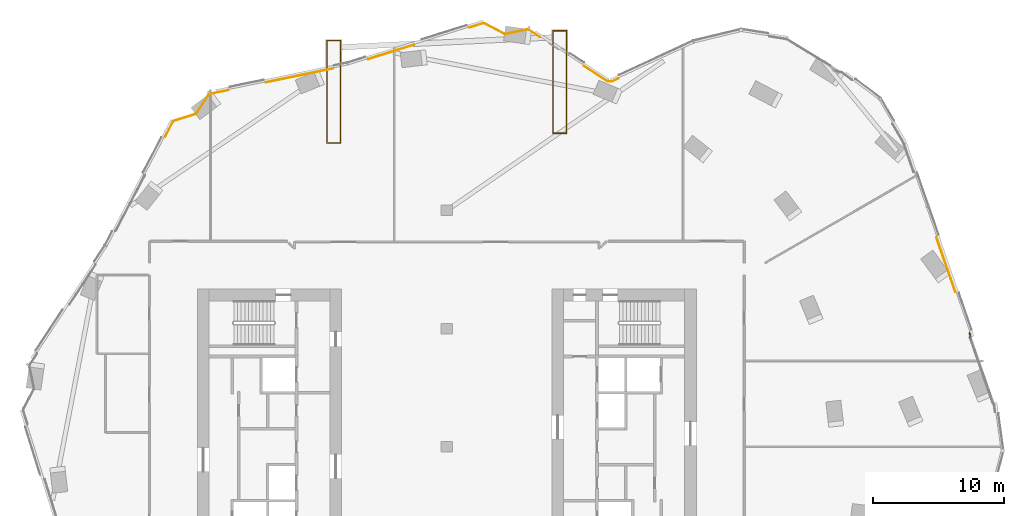
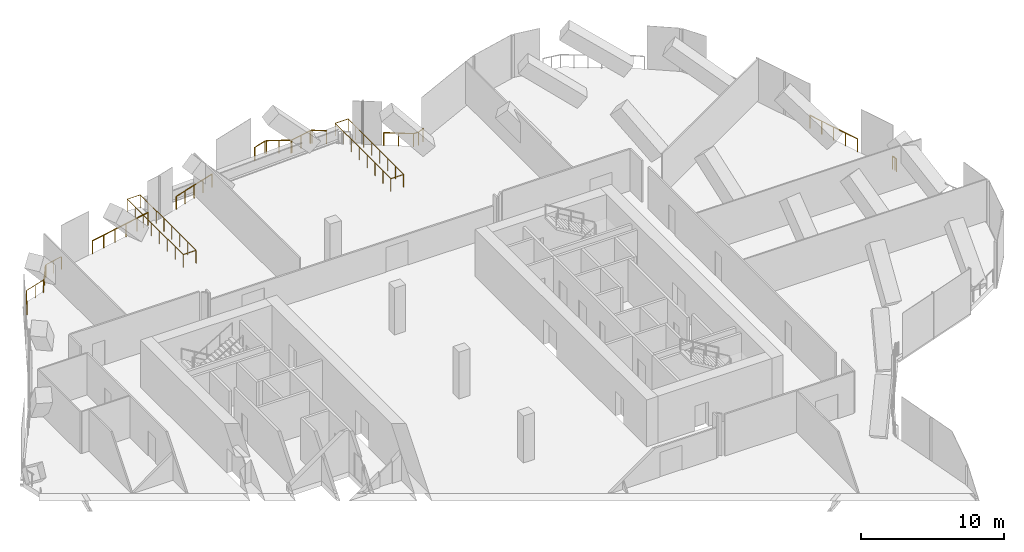
# One storey, part 25 of 26: 9 railings.
"""IFC4 building model written with IfcOpenShell, lengths in metres."""

from ifc_helpers import new_model, si_unit, direction, frame, origin, origin_2d, place, context, subcontext, project, spatial, circle, extrude, material, type_object, element, save


model = new_model("IFC4")

# Units and contexts
model_context = context("Model", 3, precision=1e-05, world=origin(), true_north=direction((0.0, 1.0)))
body_context = subcontext(model_context, "Body", "Model", "MODEL_VIEW")
ifc_project = project(units=[si_unit("LENGTHUNIT", "METRE"), si_unit("AREAUNIT", "SQUARE_METRE"), si_unit("VOLUMEUNIT", "CUBIC_METRE"), si_unit("PLANEANGLEUNIT", "RADIAN"), si_unit("MASSUNIT", "GRAM", prefix="KILO")], contexts=[model_context])

# Site, building, storey
site_placement = place(None, origin())
site = spatial("IfcSite", under=ifc_project, at=site_placement, CompositionType="ELEMENT")
building_placement = place(site_placement, origin())
building = spatial("IfcBuilding", under=site, at=building_placement, Name="Orlundy Tower", CompositionType="ELEMENT")
storey_placement = place(building_placement, frame((0.0, 0.0, 249.5)))
storey = spatial("IfcBuildingStorey", under=building, at=storey_placement, Name="L66", CompositionType="ELEMENT", Elevation=249.5)

# Railings
ifc_material = material(Name="Stainless steel bronze finish", Category="steel")
railing_type = type_object("IfcRailingType", Name="TG1 terrace guard", PredefinedType="GUARDRAIL", material=ifc_material)
railing_1_placement = place(storey_placement, frame((-21.460693359375, 23.5888671875, 0.0)))
element("IfcRailing", 1, at=railing_1_placement, inside=storey, type_object=railing_type, Name="Guard TG-L66-E00", PredefinedType="GUARDRAIL", context=body_context, shape_type="SweptSolid", body=[
    extrude(circle(Radius=0.02490234375, at=origin_2d()), frame((0.0, 0.0, 1.09521484375), z_axis=(0.464421300618, 0.88561439438, 0.0), x_axis=(-0.88561439438, 0.464421300618, 0.0)), (0.0, 0.0, 1.0), 1.299072265625),
    extrude(circle(Radius=0.02490234375, at=origin_2d()), frame((0.603271484375, 1.150390625, 1.09521484375), z_axis=(0.753797791724, 0.657106451948, 0.0), x_axis=(-0.657106451948, 0.753797791724, 0.0)), (0.0, 0.0, 1.0), 0.123779296875),
    extrude(circle(Radius=0.02490234375, at=origin_2d()), frame((0.696533203125, 1.231689453125, 1.09521484375), z_axis=(0.954541127415, 0.29807924462, 0.0), x_axis=(-0.29807924462, 0.954541127415, 0.0)), (0.0, 0.0, 1.0), 1.704345703125),
    extrude(circle(Radius=0.02490234375, at=origin_2d()), frame((2.323486328125, 1.73974609375, 1.09521484375), z_axis=(0.8, 0.6, 0.0), x_axis=(-0.6, 0.8, 0.0)), (0.0, 0.0, 1.0), 0.08056640625),
    extrude(circle(Radius=0.02490234375, at=origin_2d()), frame((2.387939453125, 1.7880859375, 1.09521484375), z_axis=(0.549666477585, 0.835384201083, 0.0), x_axis=(-0.835384201083, 0.549666477585, 0.0)), (0.0, 0.0, 1.0), 1.70458984375),
    extrude(circle(Radius=0.02490234375, at=origin_2d()), frame((3.324951171875, 3.212158203125, 1.09521484375), z_axis=(0.838668969916, 0.544641495757, 0.0), x_axis=(-0.544641495757, 0.838668969916, 0.0)), (0.0, 0.0, 1.0), 0.123779296875),
    extrude(circle(Radius=0.02490234375, at=origin_2d()), frame((3.4287109375, 3.279541015625, 1.09521484375), z_axis=(0.97935497518, 0.202148046221, 0.0), x_axis=(-0.202148046221, 0.97935497518, 0.0)), (0.0, 0.0, 1.0), 1.44677734375),
    extrude(circle(Radius=0.02001953125, at=origin_2d()), origin(), (0.0, 0.0, 1.0), 1.070068359375),
    extrude(circle(Radius=0.02001953125, at=origin_2d()), frame((0.3017578125, 0.5751953125, 0.0)), (0.0, 0.0, 1.0), 1.070068359375),
    extrude(circle(Radius=0.02001953125, at=origin_2d()), frame((0.603271484375, 1.150390625, 0.0)), (0.0, 0.0, 1.0), 1.070068359375),
    extrude(circle(Radius=0.02001953125, at=origin_2d()), frame((0.696533203125, 1.231689453125, 0.0)), (0.0, 0.0, 1.0), 1.070068359375),
    extrude(circle(Radius=0.02001953125, at=origin_2d()), frame((1.510009765625, 1.48583984375, 0.0)), (0.0, 0.0, 1.0), 1.070068359375),
    extrude(circle(Radius=0.02001953125, at=origin_2d()), frame((2.323486328125, 1.73974609375, 0.0)), (0.0, 0.0, 1.0), 1.070068359375),
    extrude(circle(Radius=0.02001953125, at=origin_2d()), frame((2.387939453125, 1.7880859375, 0.0)), (0.0, 0.0, 1.0), 1.070068359375),
    extrude(circle(Radius=0.02001953125, at=origin_2d()), frame((2.8564453125, 2.5, 0.0)), (0.0, 0.0, 1.0), 1.070068359375),
    extrude(circle(Radius=0.02001953125, at=origin_2d()), frame((3.324951171875, 3.212158203125, 0.0)), (0.0, 0.0, 1.0), 1.070068359375),
    extrude(circle(Radius=0.02001953125, at=origin_2d()), frame((3.4287109375, 3.279541015625, 0.0)), (0.0, 0.0, 1.0), 1.070068359375),
    extrude(circle(Radius=0.02001953125, at=origin_2d()), frame((4.13720703125, 3.42578125, 0.0)), (0.0, 0.0, 1.0), 1.070068359375),
    extrude(circle(Radius=0.02001953125, at=origin_2d()), frame((4.845703125, 3.572021484375, 0.0)), (0.0, 0.0, 1.0), 1.070068359375),
])
railing_2_placement = place(storey_placement, frame((1.734619140625, 31.9267578125, 0.0)))
element("IfcRailing", 2, at=railing_2_placement, inside=storey, type_object=railing_type, Name="Guard TG-L66-E05", PredefinedType="GUARDRAIL", context=body_context, shape_type="SweptSolid", body=[
    extrude(circle(Radius=0.02490234375, at=origin_2d()), frame((0.0, 0.0, 1.09521484375), z_axis=(0.954574315869, 0.297972944214, 0.0), x_axis=(-0.297972944214, 0.954574315869, 0.0)), (0.0, 0.0, 1.0), 1.05859375),
    extrude(circle(Radius=0.02490234375, at=origin_2d()), frame((1.010498046875, 0.3154296875, 1.09521484375), z_axis=(0.997606892616, -0.069141071765, 0.0), x_axis=(0.069141071765, 0.997606892616, 0.0)), (0.0, 0.0, 1.0), 0.12353515625),
    extrude(circle(Radius=0.02490234375, at=origin_2d()), frame((1.1337890625, 0.306884765625, 1.09521484375), z_axis=(0.885581984905, -0.464483097661, 0.0), x_axis=(0.464483097661, 0.885581984905, 0.0)), (0.0, 0.0, 1.0), 1.705078125),
    extrude(circle(Radius=0.02490234375, at=origin_2d()), frame((2.643798828125, -0.485107421875, 1.09521484375), z_axis=(0.990250052832, -0.139301230674, 0.0), x_axis=(0.139301230674, 0.990250052832, 0.0)), (0.0, 0.0, 1.0), 0.08056640625),
    extrude(circle(Radius=0.02490234375, at=origin_2d()), frame((2.7236328125, -0.496337890625, 1.09521484375), z_axis=(0.979298625484, 0.20242085398, 0.0), x_axis=(-0.20242085398, 0.979298625484, 0.0)), (0.0, 0.0, 1.0), 1.704345703125),
    extrude(circle(Radius=0.02490234375, at=origin_2d()), frame((4.392578125, -0.1513671875, 1.09521484375), z_axis=(0.978234125102, -0.207504208355, 0.0), x_axis=(0.207504208355, 0.978234125102, 0.0)), (0.0, 0.0, 1.0), 0.12353515625),
    extrude(circle(Radius=0.02490234375, at=origin_2d()), frame((4.513427734375, -0.177001953125, 1.09521484375), z_axis=(0.835425862561, -0.549603155161, 0.0), x_axis=(0.549603155161, 0.835425862561, 0.0)), (0.0, 0.0, 1.0), 1.0078125),
    extrude(circle(Radius=0.02001953125, at=origin_2d()), origin(), (0.0, 0.0, 1.0), 1.070068359375),
    extrude(circle(Radius=0.02001953125, at=origin_2d()), frame((1.010498046875, 0.3154296875, 0.0)), (0.0, 0.0, 1.0), 1.070068359375),
    extrude(circle(Radius=0.02001953125, at=origin_2d()), frame((1.1337890625, 0.306884765625, 0.0)), (0.0, 0.0, 1.0), 1.070068359375),
    extrude(circle(Radius=0.02001953125, at=origin_2d()), frame((1.888671875, -0.089111328125, 0.0)), (0.0, 0.0, 1.0), 1.070068359375),
    extrude(circle(Radius=0.02001953125, at=origin_2d()), frame((2.643798828125, -0.485107421875, 0.0)), (0.0, 0.0, 1.0), 1.070068359375),
    extrude(circle(Radius=0.02001953125, at=origin_2d()), frame((2.7236328125, -0.496337890625, 0.0)), (0.0, 0.0, 1.0), 1.070068359375),
    extrude(circle(Radius=0.02001953125, at=origin_2d()), frame((3.55810546875, -0.32373046875, 0.0)), (0.0, 0.0, 1.0), 1.070068359375),
    extrude(circle(Radius=0.02001953125, at=origin_2d()), frame((4.392578125, -0.1513671875, 0.0)), (0.0, 0.0, 1.0), 1.070068359375),
    extrude(circle(Radius=0.02001953125, at=origin_2d()), frame((4.513427734375, -0.177001953125, 0.0)), (0.0, 0.0, 1.0), 1.070068359375),
    extrude(circle(Radius=0.02001953125, at=origin_2d()), frame((5.35546875, -0.73095703125, 0.0)), (0.0, 0.0, 1.0), 1.070068359375),
])
railing_3_placement = place(storey_placement, frame((-13.759765625, 27.750244140625, 0.0)))
element("IfcRailing", 3, at=railing_3_placement, inside=storey, type_object=railing_type, Name="Guard TG-L66-E07", PredefinedType="GUARDRAIL", context=body_context, shape_type="SweptSolid", body=[
    extrude(circle(Radius=0.02490234375, at=origin_2d()), frame((0.0, 0.0, 1.09521484375), z_axis=(0.979340474548, 0.202218285307, 0.0), x_axis=(-0.202218285307, 0.979340474548, 0.0)), (0.0, 0.0, 1.0), 5.190185546875),
    extrude(circle(Radius=0.02001953125, at=origin_2d()), origin(), (0.0, 0.0, 1.0), 1.070068359375),
    extrude(circle(Radius=0.02001953125, at=origin_2d()), frame((1.0166015625, 0.2099609375, 0.0)), (0.0, 0.0, 1.0), 1.070068359375),
    extrude(circle(Radius=0.02001953125, at=origin_2d()), frame((2.033203125, 0.419921875, 0.0)), (0.0, 0.0, 1.0), 1.070068359375),
    extrude(circle(Radius=0.02001953125, at=origin_2d()), frame((3.0498046875, 0.629638671875, 0.0)), (0.0, 0.0, 1.0), 1.070068359375),
    extrude(circle(Radius=0.02001953125, at=origin_2d()), frame((4.06640625, 0.839599609375, 0.0)), (0.0, 0.0, 1.0), 1.070068359375),
    extrude(circle(Radius=0.02001953125, at=origin_2d()), frame((5.0830078125, 1.049560546875, 0.0)), (0.0, 0.0, 1.0), 1.070068359375),
])
railing_4_placement = place(storey_placement, frame((37.297119140625, 15.931640625, 0.0)))
element("IfcRailing", 4, at=railing_4_placement, inside=storey, type_object=railing_type, Name="Guard TG-L66-E010", PredefinedType="GUARDRAIL", context=body_context, shape_type="SweptSolid", body=[
    extrude(circle(Radius=0.02490234375, at=origin_2d()), frame((0.0, 0.0, 1.09521484375), z_axis=(0.328249546776, -0.944591041161, 0.0), x_axis=(0.944591041161, 0.328249546776, 0.0)), (0.0, 0.0, 1.0), 4.401611328125),
    extrude(circle(Radius=0.02001953125, at=origin_2d()), origin(), (0.0, 0.0, 1.0), 1.070068359375),
    extrude(circle(Radius=0.02001953125, at=origin_2d()), frame((0.361328125, -1.03955078125, 0.0)), (0.0, 0.0, 1.0), 1.070068359375),
    extrude(circle(Radius=0.02001953125, at=origin_2d()), frame((0.722412109375, -2.078857421875, 0.0)), (0.0, 0.0, 1.0), 1.070068359375),
    extrude(circle(Radius=0.02001953125, at=origin_2d()), frame((1.08349609375, -3.1181640625, 0.0)), (0.0, 0.0, 1.0), 1.070068359375),
    extrude(circle(Radius=0.02001953125, at=origin_2d()), frame((1.44482421875, -4.15771484375, 0.0)), (0.0, 0.0, 1.0), 1.070068359375),
])
railing_5_placement = place(storey_placement, frame((-5.989990234375, 29.515380859375, 0.0)))
element("IfcRailing", 5, at=railing_5_placement, inside=storey, type_object=railing_type, Name="Guard TG-L66-E015", PredefinedType="GUARDRAIL", context=body_context, shape_type="SweptSolid", body=[
    extrude(circle(Radius=0.02490234375, at=origin_2d()), frame((0.0, 0.0, 1.09521484375), z_axis=(0.954561414131, 0.298014272566, 0.0), x_axis=(-0.298014272566, 0.954561414131, 0.0)), (0.0, 0.0, 1.0), 3.67919921875),
    extrude(circle(Radius=0.02001953125, at=origin_2d()), origin(), (0.0, 0.0, 1.0), 1.070068359375),
    extrude(circle(Radius=0.02001953125, at=origin_2d()), frame((0.8779296875, 0.274169921875, 0.0)), (0.0, 0.0, 1.0), 1.070068359375),
    extrude(circle(Radius=0.02001953125, at=origin_2d()), frame((1.755859375, 0.54833984375, 0.0)), (0.0, 0.0, 1.0), 1.070068359375),
    extrude(circle(Radius=0.02001953125, at=origin_2d()), frame((2.634033203125, 0.822265625, 0.0)), (0.0, 0.0, 1.0), 1.070068359375),
    extrude(circle(Radius=0.02001953125, at=origin_2d()), frame((3.511962890625, 1.096435546875, 0.0)), (0.0, 0.0, 1.0), 1.070068359375),
])
railing_6_placement = place(storey_placement, frame((10.44775390625, 28.987548828125, 0.0)))
element("IfcRailing", 6, at=railing_6_placement, inside=storey, type_object=railing_type, Name="Guard TG-L66-E023", PredefinedType="GUARDRAIL", context=body_context, shape_type="SweptSolid", body=[
    extrude(circle(Radius=0.02490234375, at=origin_2d()), frame((0.0, 0.0, 1.09521484375), z_axis=(0.835530309861, -0.549444356877, 0.0), x_axis=(0.549444356877, 0.835530309861, 0.0)), (0.0, 0.0, 1.0), 2.083984375),
    extrude(circle(Radius=0.02490234375, at=origin_2d()), frame((1.7412109375, -1.14501953125, 1.09521484375), z_axis=(0.997247141094, -0.074149440863, 0.0), x_axis=(0.074149440863, 0.997247141094, 0.0)), (0.0, 0.0, 1.0), 0.388427734375),
    extrude(circle(Radius=0.02490234375, at=origin_2d()), frame((2.128662109375, -1.173828125, 1.09521484375), z_axis=(0.907434482222, 0.420193598802, 0.0), x_axis=(-0.420193598802, 0.907434482222, 0.0)), (0.0, 0.0, 1.0), 0.53173828125),
    extrude(circle(Radius=0.02001953125, at=origin_2d()), origin(), (0.0, 0.0, 1.0), 1.070068359375),
    extrude(circle(Radius=0.02001953125, at=origin_2d()), frame((0.87060546875, -0.572509765625, 0.0)), (0.0, 0.0, 1.0), 1.070068359375),
    extrude(circle(Radius=0.02001953125, at=origin_2d()), frame((1.7412109375, -1.14501953125, 0.0)), (0.0, 0.0, 1.0), 1.070068359375),
    extrude(circle(Radius=0.02001953125, at=origin_2d()), frame((2.128662109375, -1.173828125, 0.0)), (0.0, 0.0, 1.0), 1.070068359375),
    extrude(circle(Radius=0.02001953125, at=origin_2d()), frame((2.611083984375, -0.950439453125, 0.0)), (0.0, 0.0, 1.0), 1.070068359375),
])
railing_7_placement = place(storey_placement, frame((39.865234375, 8.298583984375, 0.0)))
element("IfcRailing", 7, at=railing_7_placement, inside=storey, type_object=railing_type, Name="Guard TG-L66-E026", PredefinedType="GUARDRAIL", context=body_context, shape_type="SweptSolid", body=[
    extrude(circle(Radius=0.02490234375, at=origin_2d()), frame((0.0, 0.0, 1.09521484375), z_axis=(-0.139688297408, 0.990195525928, 0.0), x_axis=(-0.990195525928, -0.139688297408, 0.0)), (0.0, 0.0, 1.0), 0.414306640625),
    extrude(circle(Radius=0.02490234375, at=origin_2d()), frame((-0.057861328125, 0.41015625, 1.09521484375), z_axis=(0.327923648498, -0.944704229246, 0.0), x_axis=(0.944704229246, 0.327923648498, 0.0)), (0.0, 0.0, 1.0), 0.206298828125),
    extrude(circle(Radius=0.02001953125, at=origin_2d()), origin(), (0.0, 0.0, 1.0), 1.070068359375),
    extrude(circle(Radius=0.02001953125, at=origin_2d()), frame((-0.057861328125, 0.41015625, 0.0)), (0.0, 0.0, 1.0), 1.070068359375),
    extrude(circle(Radius=0.02001953125, at=origin_2d()), frame((0.009765625, 0.21533203125, 0.0)), (0.0, 0.0, 1.0), 1.070068359375),
])
railing_8_placement = place(storey_placement, frame((-8.080078125, 23.1298828125, 0.0)))
element("IfcRailing", 8, at=railing_8_placement, inside=storey, type_object=railing_type, Name="Guard TG-L66-PN0", PredefinedType="GUARDRAIL", context=body_context, shape_type="SweptSolid", body=[
    extrude(circle(Radius=0.02490234375, at=origin_2d()), frame((0.0, 0.0, 1.09521484375), z_axis=(-1.0, 0.0, 0.0), x_axis=(0.0, -1.0, 0.0)), (0.0, 0.0, 1.0), 1.0400390625),
    extrude(circle(Radius=0.02490234375, at=origin_2d()), frame((-1.0400390625, 0.0, 1.09521484375), z_axis=(0.0, 1.0, 0.0), x_axis=(-1.0, 0.0, 0.0)), (0.0, 0.0, 1.0), 7.800048828125),
    extrude(circle(Radius=0.02490234375, at=origin_2d()), frame((-1.0400390625, 7.800048828125, 1.09521484375), z_axis=(1.0, 0.0, 0.0), x_axis=(0.0, 1.0, 0.0)), (0.0, 0.0, 1.0), 1.0400390625),
    extrude(circle(Radius=0.02490234375, at=origin_2d()), frame((0.0, 7.800048828125, 1.09521484375), z_axis=(0.0, -1.0, 0.0), x_axis=(1.0, 0.0, 0.0)), (0.0, 0.0, 1.0), 7.739990234375),
    extrude(circle(Radius=0.02001953125, at=origin_2d()), origin(), (0.0, 0.0, 1.0), 1.070068359375),
    extrude(circle(Radius=0.02001953125, at=origin_2d()), frame((-1.0400390625, 0.0, 0.0)), (0.0, 0.0, 1.0), 1.070068359375),
    extrude(circle(Radius=0.02001953125, at=origin_2d()), frame((-1.0400390625, 1.1142578125, 0.0)), (0.0, 0.0, 1.0), 1.070068359375),
    extrude(circle(Radius=0.02001953125, at=origin_2d()), frame((-1.0400390625, 2.228515625, 0.0)), (0.0, 0.0, 1.0), 1.070068359375),
    extrude(circle(Radius=0.02001953125, at=origin_2d()), frame((-1.0400390625, 3.3427734375, 0.0)), (0.0, 0.0, 1.0), 1.070068359375),
    extrude(circle(Radius=0.02001953125, at=origin_2d()), frame((-1.0400390625, 4.457275390625, 0.0)), (0.0, 0.0, 1.0), 1.070068359375),
    extrude(circle(Radius=0.02001953125, at=origin_2d()), frame((-1.0400390625, 5.571533203125, 0.0)), (0.0, 0.0, 1.0), 1.070068359375),
    extrude(circle(Radius=0.02001953125, at=origin_2d()), frame((-1.0400390625, 6.685791015625, 0.0)), (0.0, 0.0, 1.0), 1.070068359375),
    extrude(circle(Radius=0.02001953125, at=origin_2d()), frame((-1.0400390625, 7.800048828125, 0.0)), (0.0, 0.0, 1.0), 1.070068359375),
    extrude(circle(Radius=0.02001953125, at=origin_2d()), frame((0.0, 7.800048828125, 0.0)), (0.0, 0.0, 1.0), 1.070068359375),
    extrude(circle(Radius=0.02001953125, at=origin_2d()), frame((0.0, 6.6943359375, 0.0)), (0.0, 0.0, 1.0), 1.070068359375),
    extrude(circle(Radius=0.02001953125, at=origin_2d()), frame((0.0, 5.588623046875, 0.0)), (0.0, 0.0, 1.0), 1.070068359375),
    extrude(circle(Radius=0.02001953125, at=origin_2d()), frame((0.0, 4.48291015625, 0.0)), (0.0, 0.0, 1.0), 1.070068359375),
    extrude(circle(Radius=0.02001953125, at=origin_2d()), frame((0.0, 3.377197265625, 0.0)), (0.0, 0.0, 1.0), 1.070068359375),
    extrude(circle(Radius=0.02001953125, at=origin_2d()), frame((0.0, 2.271484375, 0.0)), (0.0, 0.0, 1.0), 1.070068359375),
    extrude(circle(Radius=0.02001953125, at=origin_2d()), frame((0.0, 1.165771484375, 0.0)), (0.0, 0.0, 1.0), 1.070068359375),
    extrude(circle(Radius=0.02001953125, at=origin_2d()), frame((0.0, 0.06005859375, 0.0)), (0.0, 0.0, 1.0), 1.070068359375),
])
railing_9_placement = place(storey_placement, frame((9.1201171875, 23.87890625, 0.0)))
element("IfcRailing", 9, at=railing_9_placement, inside=storey, type_object=railing_type, Name="Guard TG-L66-PN1", PredefinedType="GUARDRAIL", context=body_context, shape_type="SweptSolid", body=[
    extrude(circle(Radius=0.02490234375, at=origin_2d()), frame((0.0, 0.0, 1.09521484375), z_axis=(-1.0, 0.0, 0.0), x_axis=(0.0, -1.0, 0.0)), (0.0, 0.0, 1.0), 1.0400390625),
    extrude(circle(Radius=0.02490234375, at=origin_2d()), frame((-1.0400390625, 0.0, 1.09521484375), z_axis=(0.0, 1.0, 0.0), x_axis=(-1.0, 0.0, 0.0)), (0.0, 0.0, 1.0), 7.800048828125),
    extrude(circle(Radius=0.02490234375, at=origin_2d()), frame((-1.0400390625, 7.800048828125, 1.09521484375), z_axis=(1.0, 0.0, 0.0), x_axis=(0.0, 1.0, 0.0)), (0.0, 0.0, 1.0), 1.0400390625),
    extrude(circle(Radius=0.02490234375, at=origin_2d()), frame((0.0, 7.800048828125, 1.09521484375), z_axis=(0.0, -1.0, 0.0), x_axis=(1.0, 0.0, 0.0)), (0.0, 0.0, 1.0), 7.739990234375),
    extrude(circle(Radius=0.02001953125, at=origin_2d()), origin(), (0.0, 0.0, 1.0), 1.070068359375),
    extrude(circle(Radius=0.02001953125, at=origin_2d()), frame((-1.0400390625, 0.0, 0.0)), (0.0, 0.0, 1.0), 1.070068359375),
    extrude(circle(Radius=0.02001953125, at=origin_2d()), frame((-1.0400390625, 1.1142578125, 0.0)), (0.0, 0.0, 1.0), 1.070068359375),
    extrude(circle(Radius=0.02001953125, at=origin_2d()), frame((-1.0400390625, 2.228515625, 0.0)), (0.0, 0.0, 1.0), 1.070068359375),
    extrude(circle(Radius=0.02001953125, at=origin_2d()), frame((-1.0400390625, 3.3427734375, 0.0)), (0.0, 0.0, 1.0), 1.070068359375),
    extrude(circle(Radius=0.02001953125, at=origin_2d()), frame((-1.0400390625, 4.457275390625, 0.0)), (0.0, 0.0, 1.0), 1.070068359375),
    extrude(circle(Radius=0.02001953125, at=origin_2d()), frame((-1.0400390625, 5.571533203125, 0.0)), (0.0, 0.0, 1.0), 1.070068359375),
    extrude(circle(Radius=0.02001953125, at=origin_2d()), frame((-1.0400390625, 6.685791015625, 0.0)), (0.0, 0.0, 1.0), 1.070068359375),
    extrude(circle(Radius=0.02001953125, at=origin_2d()), frame((-1.0400390625, 7.800048828125, 0.0)), (0.0, 0.0, 1.0), 1.070068359375),
    extrude(circle(Radius=0.02001953125, at=origin_2d()), frame((0.0, 7.800048828125, 0.0)), (0.0, 0.0, 1.0), 1.070068359375),
    extrude(circle(Radius=0.02001953125, at=origin_2d()), frame((0.0, 6.6943359375, 0.0)), (0.0, 0.0, 1.0), 1.070068359375),
    extrude(circle(Radius=0.02001953125, at=origin_2d()), frame((0.0, 5.588623046875, 0.0)), (0.0, 0.0, 1.0), 1.070068359375),
    extrude(circle(Radius=0.02001953125, at=origin_2d()), frame((0.0, 4.48291015625, 0.0)), (0.0, 0.0, 1.0), 1.070068359375),
    extrude(circle(Radius=0.02001953125, at=origin_2d()), frame((0.0, 3.377197265625, 0.0)), (0.0, 0.0, 1.0), 1.070068359375),
    extrude(circle(Radius=0.02001953125, at=origin_2d()), frame((0.0, 2.271484375, 0.0)), (0.0, 0.0, 1.0), 1.070068359375),
    extrude(circle(Radius=0.02001953125, at=origin_2d()), frame((0.0, 1.165771484375, 0.0)), (0.0, 0.0, 1.0), 1.070068359375),
    extrude(circle(Radius=0.02001953125, at=origin_2d()), frame((0.0, 0.06005859375, 0.0)), (0.0, 0.0, 1.0), 1.070068359375),
])

save(model, "model.ifc")
